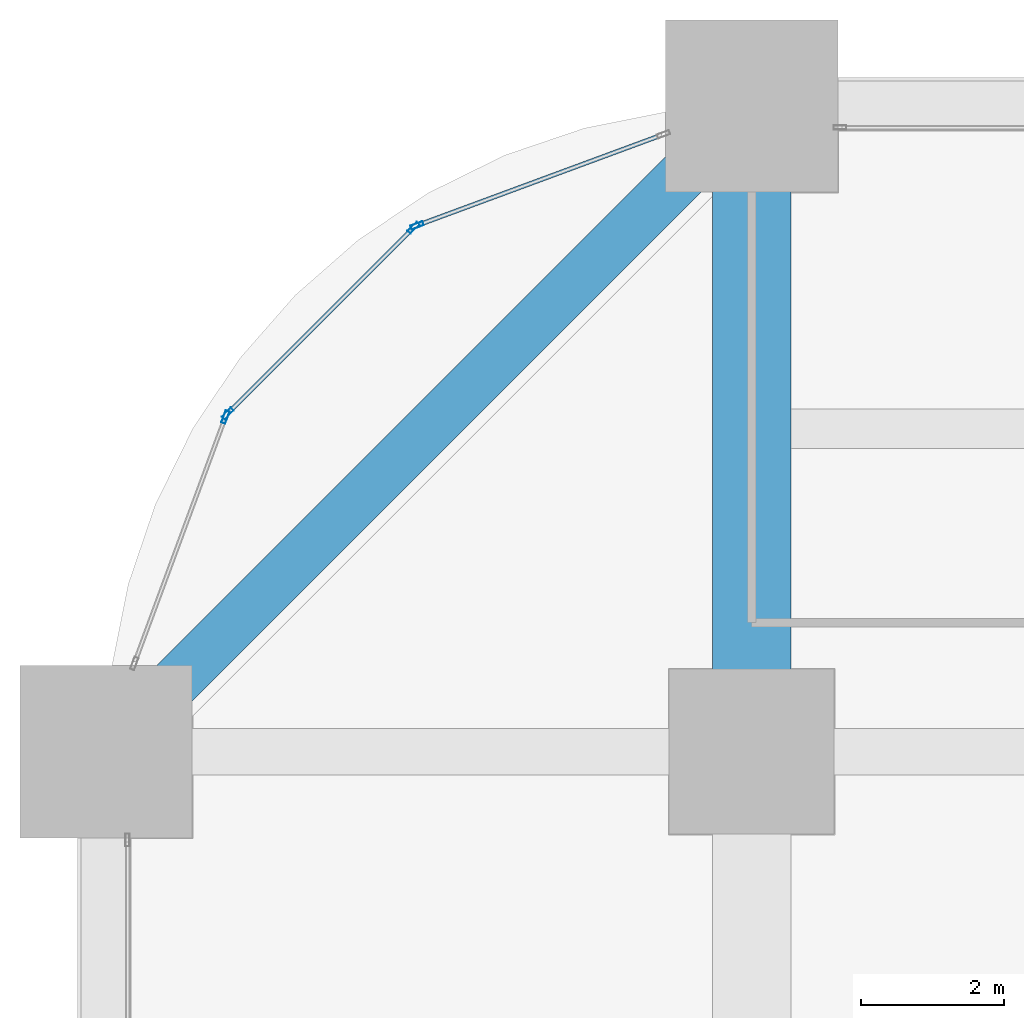
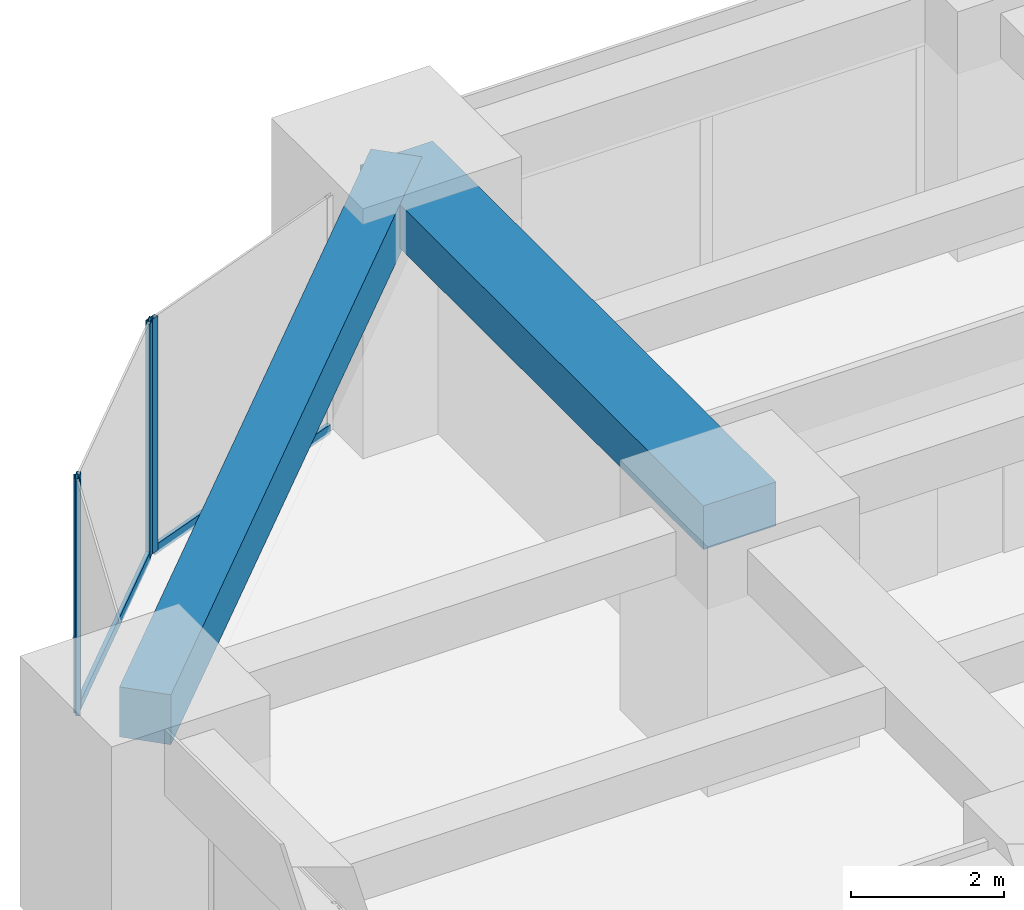
# One storey, part 27 of 45: 6 members, 2 beams, 3 elements without a shape of their own.
"""IFC4 building model written with IfcOpenShell, lengths in metres."""

from ifc_helpers import new_model, si_unit, direction, frame, origin, origin_2d, place, context, subcontext, project, spatial, rectangle, hollow_rectangle, extrude, material, material_profile, profile_set, type_object, element, aggregate, save


model = new_model("IFC4")

# Units and contexts
model_context = context("Model", 3, precision=1e-05, world=origin(), true_north=direction((0.0, 1.0)))
body_context = subcontext(model_context, "Body", "Model", "MODEL_VIEW")
ifc_project = project(units=[si_unit("LENGTHUNIT", "METRE"), si_unit("AREAUNIT", "SQUARE_METRE"), si_unit("VOLUMEUNIT", "CUBIC_METRE"), si_unit("PLANEANGLEUNIT", "RADIAN"), si_unit("MASSUNIT", "GRAM", prefix="KILO")], contexts=[model_context])

# Site, building, storey
site_placement = place(None, origin())
site = spatial("IfcSite", under=ifc_project, at=site_placement, CompositionType="ELEMENT")
building_placement = place(site_placement, origin())
building = spatial("IfcBuilding", under=site, at=building_placement, Name="Zorevar Civic Tower", CompositionType="ELEMENT")
storey_placement = place(building_placement, frame((0.0, 0.0, 23.800048828125)))
storey = spatial("IfcBuildingStorey", under=building, at=storey_placement, Name="L05", CompositionType="ELEMENT", Elevation=23.800048828125)

# Beam
ifc_material_1 = material(Name="Concrete C50/60", Category="concrete")
ifc_material_profile_1 = material_profile(ifc_material_1, rectangle(XDim=1.10009765625, YDim=0.699951171875, at=origin_2d()), Name="RC 1100x700")
ifc_profile_set_1 = profile_set([ifc_material_profile_1], Name="Concrete C50/60")
beam_type_1 = type_object("IfcBeamType", Name="Beam RC 1100x700", PredefinedType="BEAM", material=ifc_profile_set_1)
beam_1_placement = place(storey_placement, frame((9.0, 45.0, 3.39990234375), z_axis=(0.0, 1.0, 0.0), x_axis=(-1.0, 0.0, 0.0)))
element("IfcBeam", 1, at=beam_1_placement, inside=storey, type_object=beam_type_1, Name="Girder L06", PredefinedType="BEAM", context=body_context, shape_type="SweptSolid", body=[
    extrude(rectangle(XDim=1.10009765625, YDim=0.699951171875, at=origin_2d()), origin(), (0.0, 0.0, 1.0), 9.0),
])

# Curtain wall, member
ifc_material_2 = material(Name="Dark grey solar-control glass in black aluminium frame", Category="aluminium")
curtain_wall_type = type_object("IfcCurtainWallType", Name="Curtain wall CW2 low zone", PredefinedType="NOTDEFINED", material=ifc_material_2)
curtain_wall_1_placement = place(storey_placement, origin())
curtain_wall_1 = element("IfcCurtainWall", 2, at=curtain_wall_1_placement, inside=storey, type_object=curtain_wall_type, Name="CW2 L05", PredefinedType="NOTDEFINED")
ifc_material_3 = material(Name="Aluminium, black anodised", Category="aluminium")
ifc_material_profile_2 = material_profile(ifc_material_3, hollow_rectangle(XDim=0.06005859375, YDim=0.179931640625, WallThickness=0.00390625, at=origin_2d()), Name="AL 180x60x4")
ifc_profile_set_2 = profile_set([ifc_material_profile_2], Name="Aluminium, black anodised")
member_type_1 = type_object("IfcMemberType", Name="CW2 mullion AL 180x60x4", PredefinedType="MULLION", material=ifc_profile_set_2)
member_1_placement = place(storey_placement, frame((4.33544921875, 52.336181640625, 0.0), z_axis=(0.0, 0.0, 1.0), x_axis=(0.346704012033, -0.937974588163, 0.0)))
member_1 = element("IfcMember", 3, at=member_1_placement, type_object=member_type_1, Name="CW2 mullion 2", PredefinedType="MULLION", context=body_context, shape_type="SweptSolid", body=[
    extrude(hollow_rectangle(XDim=0.06005859375, YDim=0.179931640625, WallThickness=0.00390625, at=origin_2d()), origin(), (0.0, 0.0, 1.0), 3.75),
])

# Curtain wall, members
curtain_wall_2_placement = place(storey_placement, origin())
curtain_wall_2 = element("IfcCurtainWall", 4, at=curtain_wall_2_placement, inside=storey, type_object=curtain_wall_type, Name="CW2 L05", PredefinedType="NOTDEFINED")
member_2_placement = place(storey_placement, frame((4.2861328125, 52.3046875, 0.0), z_axis=(0.0, 0.0, 1.0), x_axis=(0.707106781187, -0.707106781187, 0.0)))
member_2 = element("IfcMember", 5, at=member_2_placement, type_object=member_type_1, Name="CW2 mullion 1", PredefinedType="MULLION", context=body_context, shape_type="SweptSolid", body=[
    extrude(hollow_rectangle(XDim=0.06005859375, YDim=0.179931640625, WallThickness=0.00390625, at=origin_2d()), origin(), (0.0, 0.0, 1.0), 3.75),
])
member_3_placement = place(storey_placement, frame((1.6953125, 49.7138671875, 0.0), z_axis=(0.0, 0.0, 1.0), x_axis=(0.707106781187, -0.707106781187, 0.0)))
member_3 = element("IfcMember", 6, at=member_3_placement, type_object=member_type_1, Name="CW2 mullion 2", PredefinedType="MULLION", context=body_context, shape_type="SweptSolid", body=[
    extrude(hollow_rectangle(XDim=0.06005859375, YDim=0.179931640625, WallThickness=0.00390625, at=origin_2d()), origin(), (0.0, 0.0, 1.0), 3.75),
])

# Curtain wall, member
curtain_wall_3_placement = place(storey_placement, origin())
curtain_wall_3 = element("IfcCurtainWall", 7, at=curtain_wall_3_placement, inside=storey, type_object=curtain_wall_type, Name="CW2 L05", PredefinedType="NOTDEFINED")
member_4_placement = place(storey_placement, frame((1.663818359375, 49.66455078125, 0.0), z_axis=(0.0, 0.0, 1.0), x_axis=(0.937974588163, -0.346704012033, 0.0)))
member_4 = element("IfcMember", 8, at=member_4_placement, type_object=member_type_1, Name="CW2 mullion 1", PredefinedType="MULLION", context=body_context, shape_type="SweptSolid", body=[
    extrude(hollow_rectangle(XDim=0.06005859375, YDim=0.179931640625, WallThickness=0.00390625, at=origin_2d()), origin(), (0.0, 0.0, 1.0), 3.75),
])
aggregate(curtain_wall_3, [member_4])

# Member
ifc_material_4 = material(Name="Aluminium, black anodised", Category="aluminium")
ifc_material_profile_3 = material_profile(ifc_material_4, hollow_rectangle(XDim=0.06005859375, YDim=0.14990234375, WallThickness=0.00390625, at=origin_2d()), Name="AL 150x60x4")
ifc_profile_set_3 = profile_set([ifc_material_profile_3], Name="Aluminium, black anodised")
member_type_2 = type_object("IfcMemberType", Name="CW2 transom AL 150x60x4", PredefinedType="USERDEFINED", material=ifc_profile_set_3)
member_5_placement = place(storey_placement, frame((7.74365234375, 53.595947265625, 0.030029296875), z_axis=(-0.93798635741, -0.346672169799, 0.0), x_axis=(0.346672169799, -0.93798635741, 0.0)))
member_5 = element("IfcMember", 9, at=member_5_placement, type_object=member_type_2, Name="CW2 sill transom", ObjectType="TRANSOM", PredefinedType="USERDEFINED", context=body_context, shape_type="SweptSolid", body=[
    extrude(hollow_rectangle(XDim=0.06005859375, YDim=0.14990234375, WallThickness=0.00390625, at=origin_2d()), origin(), (0.0, 0.0, 1.0), 3.603515625),
])

aggregate(curtain_wall_1, [member_1, member_5])

member_6_placement = place(storey_placement, frame((4.264892578125, 52.283447265625, 0.030029296875), z_axis=(-0.707106781187, -0.707106781187, 0.0), x_axis=(0.707106781187, -0.707106781187, 0.0)))
member_6 = element("IfcMember", 10, at=member_6_placement, type_object=member_type_2, Name="CW2 sill transom", ObjectType="TRANSOM", PredefinedType="USERDEFINED", context=body_context, shape_type="SweptSolid", body=[
    extrude(hollow_rectangle(XDim=0.06005859375, YDim=0.14990234375, WallThickness=0.00390625, at=origin_2d()), origin(), (0.0, 0.0, 1.0), 3.60400390625),
])

aggregate(curtain_wall_2, [member_2, member_3, member_6])

# Beam
ifc_material_5 = material(Name="Concrete C50/60", Category="concrete")
ifc_material_profile_4 = material_profile(ifc_material_5, rectangle(XDim=0.699951171875, YDim=0.800048828125, at=origin_2d()), Name="RC 700x800")
ifc_profile_set_4 = profile_set([ifc_material_profile_4], Name="Concrete C50/60")
beam_type_2 = type_object("IfcBeamType", Name="Edge beam RC 700x800", PredefinedType="SPANDREL", material=ifc_profile_set_4)
beam_2_placement = place(storey_placement, frame((9.0, 54.0, 3.349853515625), z_axis=(-0.707106781187, -0.707106781187, 0.0), x_axis=(0.707106781187, -0.707106781187, 0.0)))
element("IfcBeam", 11, at=beam_2_placement, inside=storey, type_object=beam_type_2, Name="Corner edge beam L06", PredefinedType="SPANDREL", context=body_context, shape_type="SweptSolid", body=[
    extrude(rectangle(XDim=0.699951171875, YDim=0.800048828125, at=origin_2d()), origin(), (0.0, 0.0, 1.0), 12.72802734375),
])

save(model, "model.ifc")
